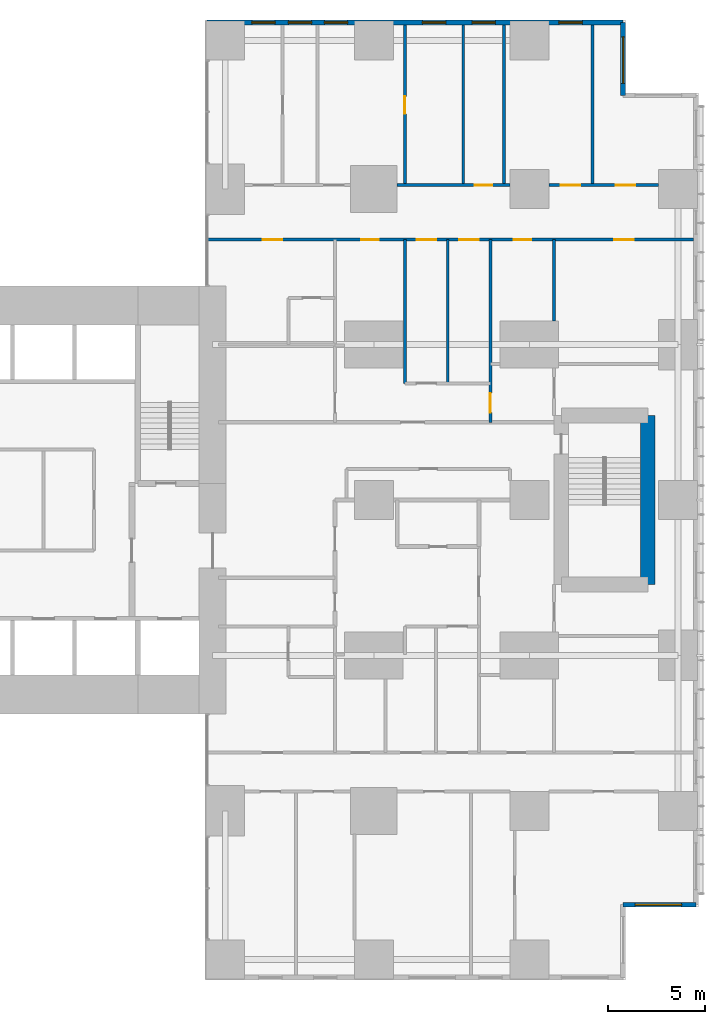
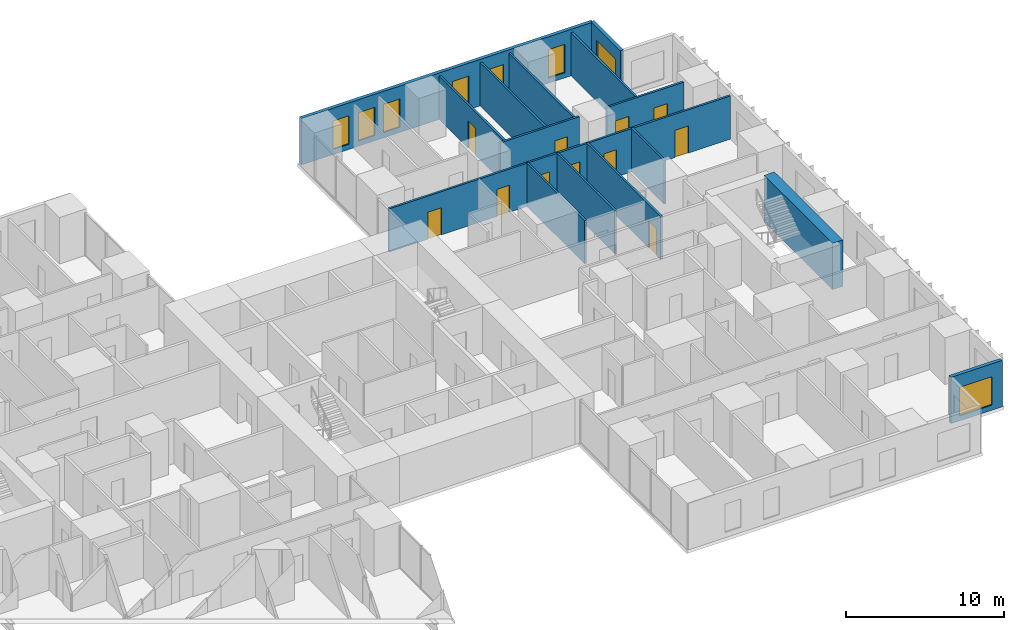
# One storey, part 18 of 20: 15 walls, 11 doors, 8 windows, 19 openings.
"""IFC4 building model written with IfcOpenShell, lengths in metres."""

from ifc_helpers import new_model, si_unit, direction, frame, frame_2d, origin, place, context, subcontext, project, spatial, rectangle, extrude, material, layer, layer_set, type_object, element, fill, save


model = new_model("IFC4")

# Units and contexts
model_context = context("Model", 3, precision=1e-05, world=origin(), true_north=direction((0.0, 1.0)))
body_context = subcontext(model_context, "Body", "Model", "MODEL_VIEW")
ifc_project = project(units=[si_unit("LENGTHUNIT", "METRE"), si_unit("AREAUNIT", "SQUARE_METRE"), si_unit("VOLUMEUNIT", "CUBIC_METRE"), si_unit("PLANEANGLEUNIT", "RADIAN"), si_unit("MASSUNIT", "GRAM", prefix="KILO")], contexts=[model_context])

# Site, building, storey
site_placement = place(None, origin())
site = spatial("IfcSite", under=ifc_project, at=site_placement, CompositionType="ELEMENT")
building_placement = place(site_placement, origin())
building = spatial("IfcBuilding", under=site, at=building_placement, Name="Cleftline Residences", CompositionType="ELEMENT")
storey_placement = place(building_placement, frame((0.0, 0.0, 153.800048828125)))
storey = spatial("IfcBuildingStorey", under=building, at=storey_placement, Name="L40", CompositionType="ELEMENT", Elevation=153.800048828125)

# Wall, opening, window
ifc_material_1 = material(Name="Rendered reinforced concrete blockwork", Category="masonry")
ifc_layer_1 = layer(ifc_material_1, 0.25)
ifc_layer_set_1 = layer_set([ifc_layer_1], Name="EXTERNAL WALL 250")
wall_type_1 = type_object("IfcWallType", Name="EXTERNAL WALL 250", PredefinedType="SOLIDWALL", material=ifc_layer_set_1)
wall_1_placement = place(storey_placement, frame((62.824951171875, 3.175048828125, 0.0), z_axis=(0.0, 0.0, 1.0), x_axis=(1.0, 0.0, 0.0)))
wall_1 = element("IfcWall", 1, at=wall_1_placement, inside=storey, type_object=wall_type_1, Name="External wall", PredefinedType="SOLIDWALL", context=body_context, shape_type="SweptSolid", body=[
    extrude(rectangle(XDim=3.75, YDim=0.25, at=frame_2d((1.875, 0.0))), origin(), (0.0, 0.0, 1.0), 3.599853515625),
])
opening_1_placement = place(wall_1_placement, frame((0.612548828125, 0.0, 0.39990234375)))
opening_1 = element("IfcOpeningElement", 2, at=opening_1_placement, cuts=wall_1, Name="Opening W12", PredefinedType="OPENING", context=body_context, shape_type="SweptSolid", body=[
    extrude(rectangle(XDim=2.39990234375, YDim=2.199951171875, at=frame_2d((1.199951171875, 1.10009765625))), frame((0.0, 0.135009765625, 0.0), z_axis=(0.0, -1.0, 0.0), x_axis=(1.0, 0.0, 0.0)), (0.0, 0.0, 1.0), 0.27001953125),
])
ifc_material_2 = material(Name="Aluminium frame, clear double glazing", Category="aluminium")
window_type_1 = type_object("IfcWindowType", Name="WINDOW 2400X2200", PartitioningType="DOUBLE_PANEL_VERTICAL", PredefinedType="WINDOW", material=ifc_material_2)
window_1_placement = place(opening_1_placement, origin())
window_1 = element("IfcWindow", 3, at=window_1_placement, inside=storey, type_object=window_type_1, Name="Window", OverallHeight=2.199951171875, OverallWidth=2.39990234375, PartitioningType="SINGLE_PANEL", PredefinedType="WINDOW", context=body_context, shape_type="SweptSolid", body=[
    extrude(rectangle(XDim=2.39990234375, YDim=2.199951171875, at=frame_2d((1.199951171875, 1.10009765625))), frame((0.0, 0.030029296875, 0.0), z_axis=(0.0, -1.0, 0.0), x_axis=(1.0, 0.0, 0.0)), (0.0, 0.0, 1.0), 0.06005859375),
])
fill(opening_1, window_1)

wall_2_placement = place(storey_placement, frame((62.824951171875, 44.824951171875, 0.0), z_axis=(0.0, 0.0, 1.0), x_axis=(0.0, 1.0, 0.0)))
wall_2 = element("IfcWall", 4, at=wall_2_placement, inside=storey, type_object=wall_type_1, Name="External wall", PredefinedType="SOLIDWALL", context=body_context, shape_type="SweptSolid", body=[
    extrude(rectangle(XDim=3.75, YDim=0.25, at=frame_2d((1.875, 0.0))), origin(), (0.0, 0.0, 1.0), 3.599853515625),
])
opening_2_placement = place(wall_2_placement, frame((0.612548828125, 0.0, 0.39990234375)))
opening_2 = element("IfcOpeningElement", 5, at=opening_2_placement, cuts=wall_2, Name="Opening W12", PredefinedType="OPENING", context=body_context, shape_type="SweptSolid", body=[
    extrude(rectangle(XDim=2.39990234375, YDim=2.199951171875, at=frame_2d((1.199951171875, 1.10009765625))), frame((0.0, 0.135009765625, 0.0), z_axis=(0.0, -1.0, 0.0), x_axis=(1.0, 0.0, 0.0)), (0.0, 0.0, 1.0), 0.27001953125),
])
window_2_placement = place(opening_2_placement, origin())
window_2 = element("IfcWindow", 6, at=window_2_placement, inside=storey, type_object=window_type_1, Name="Window", OverallHeight=2.199951171875, OverallWidth=2.39990234375, PartitioningType="SINGLE_PANEL", PredefinedType="WINDOW", context=body_context, shape_type="SweptSolid", body=[
    extrude(rectangle(XDim=2.39990234375, YDim=2.199951171875, at=frame_2d((1.199951171875, 1.10009765625))), frame((0.0, 0.030029296875, 0.0), z_axis=(0.0, -1.0, 0.0), x_axis=(1.0, 0.0, 0.0)), (0.0, 0.0, 1.0), 0.06005859375),
])
fill(opening_2, window_2)

# Wall, openings, windows
wall_3_placement = place(storey_placement, frame((62.824951171875, 48.574951171875, 0.0), z_axis=(0.0, 0.0, 1.0), x_axis=(-1.0, 0.0, 0.0)))
wall_3 = element("IfcWall", 7, at=wall_3_placement, inside=storey, type_object=wall_type_1, Name="External wall", PredefinedType="SOLIDWALL", context=body_context, shape_type="SweptSolid", body=[
    extrude(rectangle(XDim=21.39990234375, YDim=0.25, at=frame_2d((10.699951171875, 0.0))), origin(), (0.0, 0.0, 1.0), 3.599853515625),
])
opening_3_placement = place(wall_3_placement, frame((2.10009765625, 0.0, 0.39990234375)))
opening_3 = element("IfcOpeningElement", 8, at=opening_3_placement, cuts=wall_3, Name="Opening W11", PredefinedType="OPENING", context=body_context, shape_type="SweptSolid", body=[
    extrude(rectangle(XDim=1.199951171875, YDim=2.199951171875, at=frame_2d((0.60009765625, 1.10009765625))), frame((0.0, 0.135009765625, 0.0), z_axis=(0.0, -1.0, 0.0), x_axis=(1.0, 0.0, 0.0)), (0.0, 0.0, 1.0), 0.27001953125),
])
opening_4_placement = place(wall_3_placement, frame((6.574951171875, 0.0, 0.39990234375)))
opening_4 = element("IfcOpeningElement", 9, at=opening_4_placement, cuts=wall_3, Name="Opening W11", PredefinedType="OPENING", context=body_context, shape_type="SweptSolid", body=[
    extrude(rectangle(XDim=1.199951171875, YDim=2.199951171875, at=frame_2d((0.60009765625, 1.10009765625))), frame((0.0, 0.135009765625, 0.0), z_axis=(0.0, -1.0, 0.0), x_axis=(1.0, 0.0, 0.0)), (0.0, 0.0, 1.0), 0.27001953125),
])
opening_5_placement = place(wall_3_placement, frame((9.125, 0.0, 0.39990234375)))
opening_5 = element("IfcOpeningElement", 10, at=opening_5_placement, cuts=wall_3, Name="Opening W11", PredefinedType="OPENING", context=body_context, shape_type="SweptSolid", body=[
    extrude(rectangle(XDim=1.199951171875, YDim=2.199951171875, at=frame_2d((0.60009765625, 1.10009765625))), frame((0.0, 0.135009765625, 0.0), z_axis=(0.0, -1.0, 0.0), x_axis=(1.0, 0.0, 0.0)), (0.0, 0.0, 1.0), 0.27001953125),
])
opening_6_placement = place(wall_3_placement, frame((14.175048828125, 0.0, 0.39990234375)))
opening_6 = element("IfcOpeningElement", 11, at=opening_6_placement, cuts=wall_3, Name="Opening W11", PredefinedType="OPENING", context=body_context, shape_type="SweptSolid", body=[
    extrude(rectangle(XDim=1.199951171875, YDim=2.199951171875, at=frame_2d((0.60009765625, 1.10009765625))), frame((0.0, 0.135009765625, 0.0), z_axis=(0.0, -1.0, 0.0), x_axis=(1.0, 0.0, 0.0)), (0.0, 0.0, 1.0), 0.27001953125),
])
opening_7_placement = place(wall_3_placement, frame((16.02490234375, 0.0, 0.39990234375)))
opening_7 = element("IfcOpeningElement", 12, at=opening_7_placement, cuts=wall_3, Name="Opening W11", PredefinedType="OPENING", context=body_context, shape_type="SweptSolid", body=[
    extrude(rectangle(XDim=1.199951171875, YDim=2.199951171875, at=frame_2d((0.60009765625, 1.10009765625))), frame((0.0, 0.135009765625, 0.0), z_axis=(0.0, -1.0, 0.0), x_axis=(1.0, 0.0, 0.0)), (0.0, 0.0, 1.0), 0.27001953125),
])
opening_8_placement = place(wall_3_placement, frame((17.89990234375, 0.0, 0.39990234375)))
opening_8 = element("IfcOpeningElement", 13, at=opening_8_placement, cuts=wall_3, Name="Opening W11", PredefinedType="OPENING", context=body_context, shape_type="SweptSolid", body=[
    extrude(rectangle(XDim=1.199951171875, YDim=2.199951171875, at=frame_2d((0.60009765625, 1.10009765625))), frame((0.0, 0.135009765625, 0.0), z_axis=(0.0, -1.0, 0.0), x_axis=(1.0, 0.0, 0.0)), (0.0, 0.0, 1.0), 0.27001953125),
])
ifc_material_3 = material(Name="Aluminium frame, clear double glazing", Category="aluminium")
window_type_2 = type_object("IfcWindowType", Name="WINDOW 1200X2200", PartitioningType="DOUBLE_PANEL_VERTICAL", PredefinedType="WINDOW", material=ifc_material_3)
window_3_placement = place(opening_3_placement, origin())
window_3 = element("IfcWindow", 14, at=window_3_placement, inside=storey, type_object=window_type_2, Name="Window", OverallHeight=2.199951171875, OverallWidth=1.199951171875, PartitioningType="SINGLE_PANEL", PredefinedType="WINDOW", context=body_context, shape_type="SweptSolid", body=[
    extrude(rectangle(XDim=1.199951171875, YDim=2.199951171875, at=frame_2d((0.60009765625, 1.10009765625))), frame((0.0, 0.030029296875, 0.0), z_axis=(0.0, -1.0, 0.0), x_axis=(1.0, 0.0, 0.0)), (0.0, 0.0, 1.0), 0.06005859375),
])
fill(opening_3, window_3)
window_4_placement = place(opening_4_placement, origin())
window_4 = element("IfcWindow", 15, at=window_4_placement, inside=storey, type_object=window_type_2, Name="Window", OverallHeight=2.199951171875, OverallWidth=1.199951171875, PartitioningType="SINGLE_PANEL", PredefinedType="WINDOW", context=body_context, shape_type="SweptSolid", body=[
    extrude(rectangle(XDim=1.199951171875, YDim=2.199951171875, at=frame_2d((0.60009765625, 1.10009765625))), frame((0.0, 0.030029296875, 0.0), z_axis=(0.0, -1.0, 0.0), x_axis=(1.0, 0.0, 0.0)), (0.0, 0.0, 1.0), 0.06005859375),
])
fill(opening_4, window_4)
window_5_placement = place(opening_5_placement, origin())
window_5 = element("IfcWindow", 16, at=window_5_placement, inside=storey, type_object=window_type_2, Name="Window", OverallHeight=2.199951171875, OverallWidth=1.199951171875, PartitioningType="SINGLE_PANEL", PredefinedType="WINDOW", context=body_context, shape_type="SweptSolid", body=[
    extrude(rectangle(XDim=1.199951171875, YDim=2.199951171875, at=frame_2d((0.60009765625, 1.10009765625))), frame((0.0, 0.030029296875, 0.0), z_axis=(0.0, -1.0, 0.0), x_axis=(1.0, 0.0, 0.0)), (0.0, 0.0, 1.0), 0.06005859375),
])
fill(opening_5, window_5)
window_6_placement = place(opening_6_placement, origin())
window_6 = element("IfcWindow", 17, at=window_6_placement, inside=storey, type_object=window_type_2, Name="Window", OverallHeight=2.199951171875, OverallWidth=1.199951171875, PartitioningType="SINGLE_PANEL", PredefinedType="WINDOW", context=body_context, shape_type="SweptSolid", body=[
    extrude(rectangle(XDim=1.199951171875, YDim=2.199951171875, at=frame_2d((0.60009765625, 1.10009765625))), frame((0.0, 0.030029296875, 0.0), z_axis=(0.0, -1.0, 0.0), x_axis=(1.0, 0.0, 0.0)), (0.0, 0.0, 1.0), 0.06005859375),
])
fill(opening_6, window_6)
window_7_placement = place(opening_7_placement, origin())
window_7 = element("IfcWindow", 18, at=window_7_placement, inside=storey, type_object=window_type_2, Name="Window", OverallHeight=2.199951171875, OverallWidth=1.199951171875, PartitioningType="SINGLE_PANEL", PredefinedType="WINDOW", context=body_context, shape_type="SweptSolid", body=[
    extrude(rectangle(XDim=1.199951171875, YDim=2.199951171875, at=frame_2d((0.60009765625, 1.10009765625))), frame((0.0, 0.030029296875, 0.0), z_axis=(0.0, -1.0, 0.0), x_axis=(1.0, 0.0, 0.0)), (0.0, 0.0, 1.0), 0.06005859375),
])
fill(opening_7, window_7)
window_8_placement = place(opening_8_placement, origin())
window_8 = element("IfcWindow", 19, at=window_8_placement, inside=storey, type_object=window_type_2, Name="Window", OverallHeight=2.199951171875, OverallWidth=1.199951171875, PartitioningType="SINGLE_PANEL", PredefinedType="WINDOW", context=body_context, shape_type="SweptSolid", body=[
    extrude(rectangle(XDim=1.199951171875, YDim=2.199951171875, at=frame_2d((0.60009765625, 1.10009765625))), frame((0.0, 0.030029296875, 0.0), z_axis=(0.0, -1.0, 0.0), x_axis=(1.0, 0.0, 0.0)), (0.0, 0.0, 1.0), 0.06005859375),
])
fill(opening_8, window_8)

# Wall, openings, doors
ifc_material_4 = material(Name="Gypsum board on steel studs", Category="steel")
ifc_layer_2 = layer(ifc_material_4, 0.14990234375)
ifc_layer_set_2 = layer_set([ifc_layer_2], Name="PARTITION 150")
wall_type_2 = type_object("IfcWallType", Name="PARTITION 150", PredefinedType="PARTITIONING", material=ifc_layer_set_2)
wall_4_placement = place(storey_placement, frame((41.43896484375, 37.39990234375, 0.0), z_axis=(0.0, 0.0, 1.0), x_axis=(1.0, 0.0, 0.0)))
wall_4 = element("IfcWall", 20, at=wall_4_placement, inside=storey, type_object=wall_type_2, Name="Partition", PredefinedType="PARTITIONING", context=body_context, shape_type="SweptSolid", body=[
    extrude(rectangle(XDim=25.010986328125, YDim=0.14990234375, at=frame_2d((12.50537109375, 0.0))), origin(), (0.0, 0.0, 1.0), 3.349853515625),
])
opening_9_placement = place(wall_4_placement, frame((10.760986328125, 0.0, 0.0)))
opening_9 = element("IfcOpeningElement", 21, at=opening_9_placement, cuts=wall_4, Name="Opening D2F30", PredefinedType="OPENING", context=body_context, shape_type="SweptSolid", body=[
    extrude(rectangle(XDim=1.0, YDim=2.10009765625, at=frame_2d((0.5, 1.050048828125))), frame((0.0, 0.0849609375, 0.0), z_axis=(0.0, -1.0, 0.0), x_axis=(1.0, 0.0, 0.0)), (0.0, 0.0, 1.0), 0.169921875),
])
opening_10_placement = place(wall_4_placement, frame((20.923583984375, 0.0, 0.0)))
opening_10 = element("IfcOpeningElement", 22, at=opening_10_placement, cuts=wall_4, Name="Opening D2F30", PredefinedType="OPENING", context=body_context, shape_type="SweptSolid", body=[
    extrude(rectangle(XDim=1.0, YDim=2.10009765625, at=frame_2d((0.5, 1.050048828125))), frame((0.0, 0.0849609375, 0.0), z_axis=(0.0, -1.0, 0.0), x_axis=(1.0, 0.0, 0.0)), (0.0, 0.0, 1.0), 0.169921875),
])
opening_11_placement = place(wall_4_placement, frame((15.74853515625, 0.0, 0.0)))
opening_11 = element("IfcOpeningElement", 23, at=opening_11_placement, cuts=wall_4, Name="Opening D1F30", PredefinedType="OPENING", context=body_context, shape_type="SweptSolid", body=[
    extrude(rectangle(XDim=0.89990234375, YDim=2.10009765625, at=frame_2d((0.449951171875, 1.050048828125))), frame((0.0, 0.0849609375, 0.0), z_axis=(0.0, -1.0, 0.0), x_axis=(1.0, 0.0, 0.0)), (0.0, 0.0, 1.0), 0.169921875),
])
opening_12_placement = place(wall_4_placement, frame((12.9609375, 0.0, 0.0)))
opening_12 = element("IfcOpeningElement", 24, at=opening_12_placement, cuts=wall_4, Name="Opening D2F30", PredefinedType="OPENING", context=body_context, shape_type="SweptSolid", body=[
    extrude(rectangle(XDim=1.0, YDim=2.10009765625, at=frame_2d((0.5, 1.050048828125))), frame((0.0, 0.0849609375, 0.0), z_axis=(0.0, -1.0, 0.0), x_axis=(1.0, 0.0, 0.0)), (0.0, 0.0, 1.0), 0.169921875),
])
opening_13_placement = place(wall_4_placement, frame((7.910888671875, 0.0, 0.0)))
opening_13 = element("IfcOpeningElement", 25, at=opening_13_placement, cuts=wall_4, Name="Opening D1F30", PredefinedType="OPENING", context=body_context, shape_type="SweptSolid", body=[
    extrude(rectangle(XDim=0.89990234375, YDim=2.10009765625, at=frame_2d((0.449951171875, 1.050048828125))), frame((0.0, 0.0849609375, 0.0), z_axis=(0.0, -1.0, 0.0), x_axis=(1.0, 0.0, 0.0)), (0.0, 0.0, 1.0), 0.169921875),
])
opening_14_placement = place(wall_4_placement, frame((2.8359375, 0.0, 0.0)))
opening_14 = element("IfcOpeningElement", 26, at=opening_14_placement, cuts=wall_4, Name="Opening D2F30", PredefinedType="OPENING", context=body_context, shape_type="SweptSolid", body=[
    extrude(rectangle(XDim=1.0, YDim=2.10009765625, at=frame_2d((0.5, 1.050048828125))), frame((0.0, 0.0849609375, 0.0), z_axis=(0.0, -1.0, 0.0), x_axis=(1.0, 0.0, 0.0)), (0.0, 0.0, 1.0), 0.169921875),
])
ifc_material_5 = material(Name="Timber veneer on solid core", Category="wood")
door_type_1 = type_object("IfcDoorType", Name="DOOR 1000X2100 EI 30", OperationType="SINGLE_SWING_LEFT", PredefinedType="DOOR", material=ifc_material_5)
door_1_placement = place(opening_9_placement, origin())
door_1 = element("IfcDoor", 27, at=door_1_placement, inside=storey, type_object=door_type_1, Name="Door to residence corridor (bedrooms)", OperationType="SINGLE_SWING_RIGHT", OverallHeight=2.10009765625, OverallWidth=1.0, PredefinedType="DOOR", context=body_context, shape_type="SweptSolid", body=[
    extrude(rectangle(XDim=1.0, YDim=2.10009765625, at=frame_2d((0.5, 1.050048828125))), frame((0.0, 0.02490234375, 0.0), z_axis=(0.0, -1.0, 0.0), x_axis=(1.0, 0.0, 0.0)), (0.0, 0.0, 1.0), 0.050048828125),
])
fill(opening_9, door_1)
door_2_placement = place(opening_10_placement, origin())
door_2 = element("IfcDoor", 28, at=door_2_placement, inside=storey, type_object=door_type_1, Name="Door to master bedroom", OperationType="SINGLE_SWING_LEFT", OverallHeight=2.10009765625, OverallWidth=1.0, PredefinedType="DOOR", context=body_context, shape_type="SweptSolid", body=[
    extrude(rectangle(XDim=1.0, YDim=2.10009765625, at=frame_2d((0.5, 1.050048828125))), frame((0.0, 0.02490234375, 0.0), z_axis=(0.0, -1.0, 0.0), x_axis=(1.0, 0.0, 0.0)), (0.0, 0.0, 1.0), 0.050048828125),
])
fill(opening_10, door_2)
door_3_placement = place(opening_12_placement, origin())
door_3 = element("IfcDoor", 29, at=door_3_placement, inside=storey, type_object=door_type_1, Name="Door to media room", OperationType="SINGLE_SWING_LEFT", OverallHeight=2.10009765625, OverallWidth=1.0, PredefinedType="DOOR", context=body_context, shape_type="SweptSolid", body=[
    extrude(rectangle(XDim=1.0, YDim=2.10009765625, at=frame_2d((0.5, 1.050048828125))), frame((0.0, 0.02490234375, 0.0), z_axis=(0.0, -1.0, 0.0), x_axis=(1.0, 0.0, 0.0)), (0.0, 0.0, 1.0), 0.050048828125),
])
fill(opening_12, door_3)
door_4_placement = place(opening_14_placement, origin())
door_4 = element("IfcDoor", 30, at=door_4_placement, inside=storey, type_object=door_type_1, Name="Door to staff bedroom", OperationType="SINGLE_SWING_RIGHT", OverallHeight=2.10009765625, OverallWidth=1.0, PredefinedType="DOOR", context=body_context, shape_type="SweptSolid", body=[
    extrude(rectangle(XDim=1.0, YDim=2.10009765625, at=frame_2d((0.5, 1.050048828125))), frame((0.0, 0.02490234375, 0.0), z_axis=(0.0, -1.0, 0.0), x_axis=(1.0, 0.0, 0.0)), (0.0, 0.0, 1.0), 0.050048828125),
])
fill(opening_14, door_4)
ifc_material_6 = material(Name="Timber veneer on solid core", Category="wood")
door_type_2 = type_object("IfcDoorType", Name="DOOR 900X2100 EI 30", OperationType="SINGLE_SWING_LEFT", PredefinedType="DOOR", material=ifc_material_6)
door_5_placement = place(opening_11_placement, origin())
door_5 = element("IfcDoor", 31, at=door_5_placement, inside=storey, type_object=door_type_2, Name="Door to master bathroom", OperationType="SINGLE_SWING_LEFT", OverallHeight=2.10009765625, OverallWidth=0.89990234375, PredefinedType="DOOR", context=body_context, shape_type="SweptSolid", body=[
    extrude(rectangle(XDim=0.89990234375, YDim=2.10009765625, at=frame_2d((0.449951171875, 1.050048828125))), frame((0.0, 0.02490234375, 0.0), z_axis=(0.0, -1.0, 0.0), x_axis=(1.0, 0.0, 0.0)), (0.0, 0.0, 1.0), 0.050048828125),
])
fill(opening_11, door_5)
door_6_placement = place(opening_13_placement, origin())
door_6 = element("IfcDoor", 32, at=door_6_placement, inside=storey, type_object=door_type_2, Name="Door to master dressing room", OperationType="SINGLE_SWING_RIGHT", OverallHeight=2.10009765625, OverallWidth=0.89990234375, PredefinedType="DOOR", context=body_context, shape_type="SweptSolid", body=[
    extrude(rectangle(XDim=0.89990234375, YDim=2.10009765625, at=frame_2d((0.449951171875, 1.050048828125))), frame((0.0, 0.02490234375, 0.0), z_axis=(0.0, -1.0, 0.0), x_axis=(1.0, 0.0, 0.0)), (0.0, 0.0, 1.0), 0.050048828125),
])
fill(opening_13, door_6)

# Wall, opening, door
wall_5_placement = place(storey_placement, frame((51.199951171875, 40.199951171875, 0.0), z_axis=(0.0, 0.0, 1.0), x_axis=(1.0, 0.0, 0.0)))
wall_5 = element("IfcWall", 33, at=wall_5_placement, inside=storey, type_object=wall_type_2, Name="Partition", PredefinedType="PARTITIONING", context=body_context, shape_type="SweptSolid", body=[
    extrude(rectangle(XDim=5.800048828125, YDim=0.14990234375, at=frame_2d((2.89990234375, 0.0))), origin(), (0.0, 0.0, 1.0), 3.349853515625),
])
opening_15_placement = place(wall_5_placement, frame((4.0, 0.0, 0.0)))
opening_15 = element("IfcOpeningElement", 34, at=opening_15_placement, cuts=wall_5, Name="Opening D1", PredefinedType="OPENING", context=body_context, shape_type="SweptSolid", body=[
    extrude(rectangle(XDim=0.89990234375, YDim=2.10009765625, at=frame_2d((0.449951171875, 1.050048828125))), frame((0.0, 0.0849609375, 0.0), z_axis=(0.0, -1.0, 0.0), x_axis=(1.0, 0.0, 0.0)), (0.0, 0.0, 1.0), 0.169921875),
])
ifc_material_7 = material(Name="Timber veneer on solid core", Category="wood")
door_type_3 = type_object("IfcDoorType", Name="DOOR 900X2100", OperationType="SINGLE_SWING_LEFT", PredefinedType="DOOR", material=ifc_material_7)
door_7_placement = place(opening_15_placement, origin())
door_7 = element("IfcDoor", 35, at=door_7_placement, inside=storey, type_object=door_type_3, Name="Door to bedroom 2 bathroom", OperationType="SINGLE_SWING_LEFT", OverallHeight=2.10009765625, OverallWidth=0.89990234375, PredefinedType="DOOR", context=body_context, shape_type="SweptSolid", body=[
    extrude(rectangle(XDim=0.89990234375, YDim=2.10009765625, at=frame_2d((0.449951171875, 1.050048828125))), frame((0.0, 0.02490234375, 0.0), z_axis=(0.0, -1.0, 0.0), x_axis=(1.0, 0.0, 0.0)), (0.0, 0.0, 1.0), 0.050048828125),
])
fill(opening_15, door_7)

# Wall, openings, doors
wall_6_placement = place(storey_placement, frame((59.0, 40.199951171875, 0.0), z_axis=(0.0, 0.0, 1.0), x_axis=(1.0, 0.0, 0.0)))
wall_6 = element("IfcWall", 36, at=wall_6_placement, inside=storey, type_object=wall_type_2, Name="Partition", PredefinedType="PARTITIONING", context=body_context, shape_type="SweptSolid", body=[
    extrude(rectangle(XDim=5.64990234375, YDim=0.14990234375, at=frame_2d((2.824951171875, 0.0))), origin(), (0.0, 0.0, 1.0), 3.349853515625),
])
opening_16_placement = place(wall_6_placement, frame((3.449951171875, 0.0, 0.0)))
opening_16 = element("IfcOpeningElement", 37, at=opening_16_placement, cuts=wall_6, Name="Opening D2", PredefinedType="OPENING", context=body_context, shape_type="SweptSolid", body=[
    extrude(rectangle(XDim=1.0, YDim=2.10009765625, at=frame_2d((0.5, 1.050048828125))), frame((0.0, 0.0849609375, 0.0), z_axis=(0.0, -1.0, 0.0), x_axis=(1.0, 0.0, 0.0)), (0.0, 0.0, 1.0), 0.169921875),
])
opening_17_placement = place(wall_6_placement, frame((0.625, 0.0, 0.0)))
opening_17 = element("IfcOpeningElement", 38, at=opening_17_placement, cuts=wall_6, Name="Opening D2", PredefinedType="OPENING", context=body_context, shape_type="SweptSolid", body=[
    extrude(rectangle(XDim=1.0, YDim=2.10009765625, at=frame_2d((0.5, 1.050048828125))), frame((0.0, 0.0849609375, 0.0), z_axis=(0.0, -1.0, 0.0), x_axis=(1.0, 0.0, 0.0)), (0.0, 0.0, 1.0), 0.169921875),
])
ifc_material_8 = material(Name="Timber veneer on solid core", Category="wood")
door_type_4 = type_object("IfcDoorType", Name="DOOR 1000X2100", OperationType="SINGLE_SWING_LEFT", PredefinedType="DOOR", material=ifc_material_8)
door_8_placement = place(opening_16_placement, origin())
door_8 = element("IfcDoor", 39, at=door_8_placement, inside=storey, type_object=door_type_4, Name="Door to bedroom 2 sitting room", OperationType="SINGLE_SWING_LEFT", OverallHeight=2.10009765625, OverallWidth=1.0, PredefinedType="DOOR", context=body_context, shape_type="SweptSolid", body=[
    extrude(rectangle(XDim=1.0, YDim=2.10009765625, at=frame_2d((0.5, 1.050048828125))), frame((0.0, 0.02490234375, 0.0), z_axis=(0.0, -1.0, 0.0), x_axis=(1.0, 0.0, 0.0)), (0.0, 0.0, 1.0), 0.050048828125),
])
fill(opening_16, door_8)
door_9_placement = place(opening_17_placement, origin())
door_9 = element("IfcDoor", 40, at=door_9_placement, inside=storey, type_object=door_type_4, Name="Door to bedroom 2", OperationType="SINGLE_SWING_RIGHT", OverallHeight=2.10009765625, OverallWidth=1.0, PredefinedType="DOOR", context=body_context, shape_type="SweptSolid", body=[
    extrude(rectangle(XDim=1.0, YDim=2.10009765625, at=frame_2d((0.5, 1.050048828125))), frame((0.0, 0.02490234375, 0.0), z_axis=(0.0, -1.0, 0.0), x_axis=(1.0, 0.0, 0.0)), (0.0, 0.0, 1.0), 0.050048828125),
])
fill(opening_17, door_9)

# Wall
wall_7_placement = place(storey_placement, frame((51.60009765625, 30.0, 0.0), z_axis=(0.0, 0.0, 1.0), x_axis=(0.0, 1.0, 0.0)))
element("IfcWall", 41, at=wall_7_placement, inside=storey, type_object=wall_type_2, Name="Partition", PredefinedType="PARTITIONING", context=body_context, shape_type="SweptSolid", body=[
    extrude(rectangle(XDim=7.39990234375, YDim=0.14990234375, at=frame_2d((3.699951171875, 0.0))), origin(), (0.0, 0.0, 1.0), 3.349853515625),
])

# Wall, opening, door
wall_8_placement = place(storey_placement, frame((51.60009765625, 40.199951171875, 0.0), z_axis=(0.0, 0.0, 1.0), x_axis=(0.0, 1.0, 0.0)))
wall_8 = element("IfcWall", 42, at=wall_8_placement, inside=storey, type_object=wall_type_2, Name="Partition", PredefinedType="PARTITIONING", context=body_context, shape_type="SweptSolid", body=[
    extrude(rectangle(XDim=8.25, YDim=0.14990234375, at=frame_2d((4.125, 0.0))), origin(), (0.0, 0.0, 1.0), 3.349853515625),
])
opening_18_placement = place(wall_8_placement, frame((3.675048828125, 0.0, 0.0)))
opening_18 = element("IfcOpeningElement", 43, at=opening_18_placement, cuts=wall_8, Name="Opening D1", PredefinedType="OPENING", context=body_context, shape_type="SweptSolid", body=[
    extrude(rectangle(XDim=0.89990234375, YDim=2.10009765625, at=frame_2d((0.449951171875, 1.050048828125))), frame((0.0, 0.0849609375, 0.0), z_axis=(0.0, -1.0, 0.0), x_axis=(1.0, 0.0, 0.0)), (0.0, 0.0, 1.0), 0.169921875),
])
door_10_placement = place(opening_18_placement, origin())
door_10 = element("IfcDoor", 44, at=door_10_placement, inside=storey, type_object=door_type_3, Name="Door to en-suite bathroom 3", OperationType="SINGLE_SWING_LEFT", OverallHeight=2.10009765625, OverallWidth=0.89990234375, PredefinedType="DOOR", context=body_context, shape_type="SweptSolid", body=[
    extrude(rectangle(XDim=0.89990234375, YDim=2.10009765625, at=frame_2d((0.449951171875, 1.050048828125))), frame((0.0, 0.02490234375, 0.0), z_axis=(0.0, -1.0, 0.0), x_axis=(1.0, 0.0, 0.0)), (0.0, 0.0, 1.0), 0.050048828125),
])
fill(opening_18, door_10)

# Walls
wall_9_placement = place(storey_placement, frame((53.800048828125, 30.0, 0.0), z_axis=(0.0, 0.0, 1.0), x_axis=(0.0, 1.0, 0.0)))
element("IfcWall", 45, at=wall_9_placement, inside=storey, type_object=wall_type_2, Name="Partition", PredefinedType="PARTITIONING", context=body_context, shape_type="SweptSolid", body=[
    extrude(rectangle(XDim=7.39990234375, YDim=0.14990234375, at=frame_2d((3.699951171875, 0.0))), origin(), (0.0, 0.0, 1.0), 3.349853515625),
])
wall_10_placement = place(storey_placement, frame((54.60009765625, 40.199951171875, 0.0), z_axis=(0.0, 0.0, 1.0), x_axis=(0.0, 1.0, 0.0)))
element("IfcWall", 46, at=wall_10_placement, inside=storey, type_object=wall_type_2, Name="Partition", PredefinedType="PARTITIONING", context=body_context, shape_type="SweptSolid", body=[
    extrude(rectangle(XDim=8.25, YDim=0.14990234375, at=frame_2d((4.125, 0.0))), origin(), (0.0, 0.0, 1.0), 3.349853515625),
])

# Wall, opening, door
wall_11_placement = place(storey_placement, frame((56.0, 28.0, 0.0), z_axis=(0.0, 0.0, 1.0), x_axis=(0.0, 1.0, 0.0)))
wall_11 = element("IfcWall", 47, at=wall_11_placement, inside=storey, type_object=wall_type_2, Name="Partition", PredefinedType="PARTITIONING", context=body_context, shape_type="SweptSolid", body=[
    extrude(rectangle(XDim=9.39990234375, YDim=0.14990234375, at=frame_2d((4.699951171875, 0.0))), origin(), (0.0, 0.0, 1.0), 3.349853515625),
])
opening_19_placement = place(wall_11_placement, frame((0.5, 0.0, 0.0)))
opening_19 = element("IfcOpeningElement", 48, at=opening_19_placement, cuts=wall_11, Name="Opening D2F30", PredefinedType="OPENING", context=body_context, shape_type="SweptSolid", body=[
    extrude(rectangle(XDim=1.0, YDim=2.10009765625, at=frame_2d((0.5, 1.050048828125))), frame((0.0, 0.0849609375, 0.0), z_axis=(0.0, -1.0, 0.0), x_axis=(1.0, 0.0, 0.0)), (0.0, 0.0, 1.0), 0.169921875),
])
door_11_placement = place(opening_19_placement, origin())
door_11 = element("IfcDoor", 49, at=door_11_placement, inside=storey, type_object=door_type_1, Name="Door to residence lobby (service)", OperationType="SINGLE_SWING_RIGHT", OverallHeight=2.10009765625, OverallWidth=1.0, PredefinedType="DOOR", context=body_context, shape_type="SweptSolid", body=[
    extrude(rectangle(XDim=1.0, YDim=2.10009765625, at=frame_2d((0.5, 1.050048828125))), frame((0.0, 0.02490234375, 0.0), z_axis=(0.0, -1.0, 0.0), x_axis=(1.0, 0.0, 0.0)), (0.0, 0.0, 1.0), 0.050048828125),
])
fill(opening_19, door_11)

# Walls
wall_12_placement = place(storey_placement, frame((56.699951171875, 40.199951171875, 0.0), z_axis=(0.0, 0.0, 1.0), x_axis=(0.0, 1.0, 0.0)))
element("IfcWall", 50, at=wall_12_placement, inside=storey, type_object=wall_type_2, Name="Partition", PredefinedType="PARTITIONING", context=body_context, shape_type="SweptSolid", body=[
    extrude(rectangle(XDim=8.25, YDim=0.14990234375, at=frame_2d((4.125, 0.0))), origin(), (0.0, 0.0, 1.0), 3.349853515625),
])
wall_13_placement = place(storey_placement, frame((59.27490234375, 33.199951171875, 0.0), z_axis=(0.0, 0.0, 1.0), x_axis=(0.0, 1.0, 0.0)))
element("IfcWall", 51, at=wall_13_placement, inside=storey, type_object=wall_type_2, Name="Partition", PredefinedType="PARTITIONING", context=body_context, shape_type="SweptSolid", body=[
    extrude(rectangle(XDim=4.199951171875, YDim=0.14990234375, at=frame_2d((2.10009765625, 0.0))), origin(), (0.0, 0.0, 1.0), 3.349853515625),
])
wall_14_placement = place(storey_placement, frame((61.25, 40.199951171875, 0.0), z_axis=(0.0, 0.0, 1.0), x_axis=(0.0, 1.0, 0.0)))
element("IfcWall", 52, at=wall_14_placement, inside=storey, type_object=wall_type_2, Name="Partition", PredefinedType="PARTITIONING", context=body_context, shape_type="SweptSolid", body=[
    extrude(rectangle(XDim=8.25, YDim=0.14990234375, at=frame_2d((4.125, 0.0))), origin(), (0.0, 0.0, 1.0), 3.349853515625),
])
ifc_material_9 = material(Name="Concrete B70", Category="concrete")
ifc_layer_3 = layer(ifc_material_9, 0.75)
ifc_layer_set_3 = layer_set([ifc_layer_3], Name="SHEAR WALL 750")
wall_type_3 = type_object("IfcWallType", Name="SHEAR WALL 750", PredefinedType="SHEAR", material=ifc_layer_set_3)
wall_15_placement = place(storey_placement, frame((64.10009765625, 19.64990234375, 0.0), z_axis=(0.0, 0.0, 1.0), x_axis=(0.0, 1.0, 0.0)))
element("IfcWall", 53, at=wall_15_placement, inside=storey, type_object=wall_type_3, Name="Wing shear wall", PredefinedType="SHEAR", context=body_context, shape_type="SweptSolid", body=[
    extrude(rectangle(XDim=8.7001953125, YDim=0.75, at=frame_2d((4.35009765625, 0.0))), origin(), (0.0, 0.0, 1.0), 3.599853515625),
])

save(model, "model.ifc")
